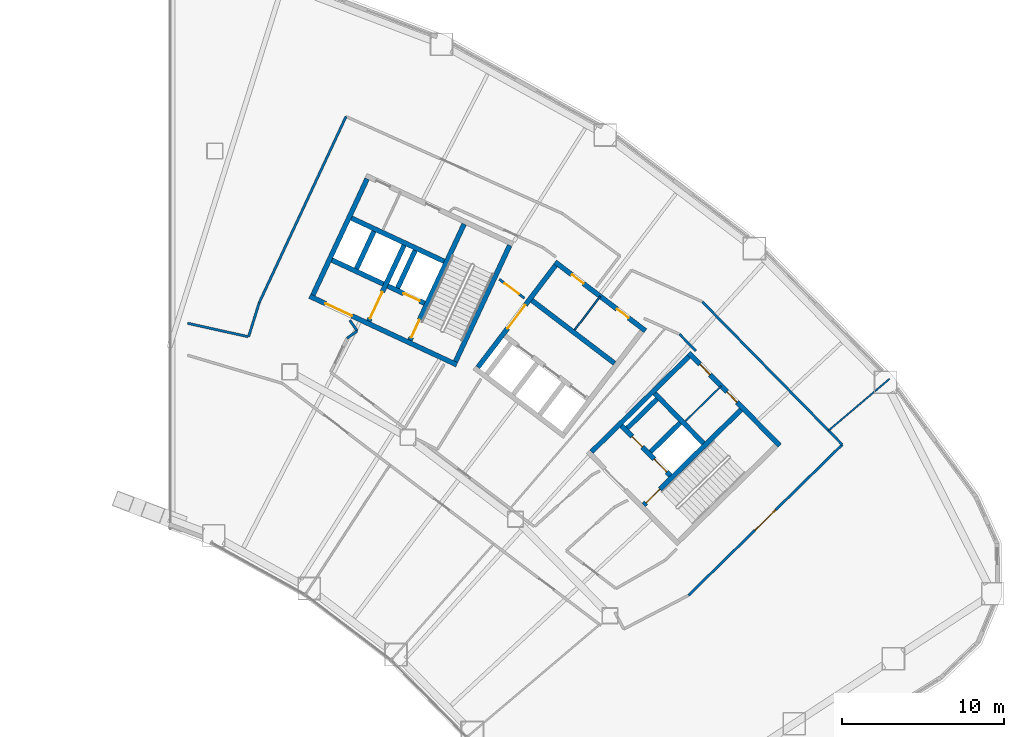
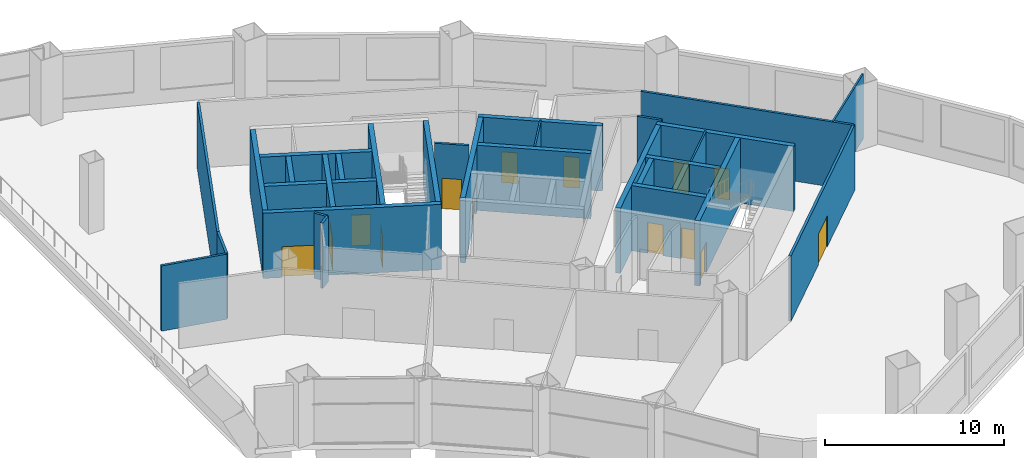
# One storey, part 16 of 20: 32 walls, 14 doors, 14 openings.
"""IFC4 building model written with IfcOpenShell, lengths in metres."""

from ifc_helpers import new_model, si_unit, direction, frame, frame_2d, origin, place, context, subcontext, project, spatial, rectangle, extrude, material, layer, layer_set, type_object, element, fill, save


model = new_model("IFC4")

# Units and contexts
model_context = context("Model", 3, precision=1e-05, world=origin(), true_north=direction((0.0, 1.0)))
body_context = subcontext(model_context, "Body", "Model", "MODEL_VIEW")
ifc_project = project(units=[si_unit("LENGTHUNIT", "METRE"), si_unit("AREAUNIT", "SQUARE_METRE"), si_unit("VOLUMEUNIT", "CUBIC_METRE"), si_unit("PLANEANGLEUNIT", "RADIAN"), si_unit("MASSUNIT", "GRAM", prefix="KILO")], contexts=[model_context])

# Site, building, storey
site_placement = place(None, origin())
site = spatial("IfcSite", under=ifc_project, at=site_placement, CompositionType="ELEMENT")
building_placement = place(site_placement, origin())
building = spatial("IfcBuilding", under=site, at=building_placement, Name="Tuul Gate Civic Tower", CompositionType="ELEMENT")
storey_placement = place(building_placement, frame((0.0, 0.0, 12.300048828125)))
storey = spatial("IfcBuildingStorey", under=building, at=storey_placement, Name="Level 02", CompositionType="ELEMENT", Elevation=12.300048828125)

# Wall, openings, doors
ifc_material_1 = material(Name="Concrete C50/60", Category="concrete")
ifc_layer_1 = layer(ifc_material_1, 0.300048828125)
ifc_layer_set_1 = layer_set([ifc_layer_1], Name="Concrete C50/60")
wall_type_1 = type_object("IfcWallType", Name="Core wall C50/60", PredefinedType="SHEAR", material=ifc_layer_set_1)
wall_1_placement = place(storey_placement, frame((47.701904296875, -14.079833984375, 0.0), z_axis=(0.0, 0.0, 1.0), x_axis=(-0.700002721075, 0.714140175657, 0.0)))
wall_1 = element("IfcWall", 1, at=wall_1_placement, inside=storey, type_object=wall_type_1, Name="Core wall", PredefinedType="SHEAR", context=body_context, shape_type="SweptSolid", body=[
    extrude(rectangle(XDim=4.300048828125, YDim=0.300048828125, at=frame_2d((2.14990234375, 0.0))), origin(), (0.0, 0.0, 1.0), 4.449951171875),
])
opening_1_placement = place(wall_1_placement, frame((0.324951171875, 0.0, 0.0)))
opening_1 = element("IfcOpeningElement", 2, at=opening_1_placement, cuts=wall_1, Name="Opening LD-L4", PredefinedType="OPENING", context=body_context, shape_type="SweptSolid", body=[
    extrude(rectangle(XDim=1.10009765625, YDim=2.10009765625, at=frame_2d((0.550048828125, 1.050048828125))), frame((0.0, 0.16015625, 0.0), z_axis=(0.0, -1.0, 0.0), x_axis=(1.0, 0.0, 0.0)), (0.0, 0.0, 1.0), 0.320068359375),
])
opening_2_placement = place(wall_1_placement, frame((2.47509765625, 0.0, 0.0)))
opening_2 = element("IfcOpeningElement", 3, at=opening_2_placement, cuts=wall_1, Name="Opening FB-E1A2", PredefinedType="OPENING", context=body_context, shape_type="SweptSolid", body=[
    extrude(rectangle(XDim=0.89990234375, YDim=2.10009765625, at=frame_2d((0.449951171875, 1.050048828125))), frame((0.0, 0.16015625, 0.0), z_axis=(0.0, -1.0, 0.0), x_axis=(1.0, 0.0, 0.0)), (0.0, 0.0, 1.0), 0.320068359375),
])
ifc_material_2 = material(Name="Stainless steel", Category="steel")
door_type_1 = type_object("IfcDoorType", Name="Landing door", OperationType="DOUBLE_DOOR_SLIDING", PredefinedType="DOOR", material=ifc_material_2)
door_1_placement = place(opening_1_placement, origin())
door_1 = element("IfcDoor", 4, at=door_1_placement, inside=storey, type_object=door_type_1, Name="Low-rise lift L4 landing door", OperationType="DOUBLE_DOOR_SLIDING", OverallHeight=2.10009765625, OverallWidth=1.10009765625, PredefinedType="DOOR", context=body_context, shape_type="SweptSolid", body=[
    extrude(rectangle(XDim=1.10009765625, YDim=2.10009765625, at=frame_2d((0.550048828125, 1.050048828125))), frame((0.0, 0.02490234375, 0.0), z_axis=(0.0, -1.0, 0.0), x_axis=(1.0, 0.0, 0.0)), (0.0, 0.0, 1.0), 0.050048828125),
])
fill(opening_1, door_1)
ifc_material_3 = material(Name="Steel", Category="steel")
door_type_2 = type_object("IfcDoorType", Name="Store door", OperationType="NOTDEFINED", PredefinedType="DOOR", material=ifc_material_3)
door_2_placement = place(opening_2_placement, frame((0.89990234375, 0.0, 0.0), z_axis=(0.0, 0.0, 1.0), x_axis=(-1.0, 0.0, 0.0)))
door_2 = element("IfcDoor", 5, at=door_2_placement, inside=storey, type_object=door_type_2, Name="Store door E1A2", OperationType="SINGLE_SWING_LEFT", OverallHeight=2.10009765625, OverallWidth=0.89990234375, PredefinedType="DOOR", context=body_context, shape_type="SweptSolid", body=[
    extrude(rectangle(XDim=0.89990234375, YDim=2.10009765625, at=frame_2d((0.449951171875, 1.050048828125))), frame((0.0, 0.02490234375, 0.0), z_axis=(0.0, -1.0, 0.0), x_axis=(1.0, 0.0, 0.0)), (0.0, 0.0, 1.0), 0.050048828125),
])
fill(opening_2, door_2)

# Wall
wall_2_placement = place(storey_placement, frame((49.737060546875, -12.0849609375, 0.0), z_axis=(0.0, 0.0, 1.0), x_axis=(-0.700002721075, 0.714140175657, 0.0)))
element("IfcWall", 6, at=wall_2_placement, inside=storey, type_object=wall_type_1, Name="Core wall", PredefinedType="SHEAR", context=body_context, shape_type="SweptSolid", body=[
    extrude(rectangle(XDim=4.300048828125, YDim=0.300048828125, at=frame_2d((2.14990234375, 0.0))), origin(), (0.0, 0.0, 1.0), 4.449951171875),
])

# Wall, openings, doors
wall_3_placement = place(storey_placement, frame((54.43798828125, -12.23779296875, 0.0), z_axis=(0.0, 0.0, 1.0), x_axis=(-0.700021979774, 0.714121297703, 0.0)))
wall_3 = element("IfcWall", 7, at=wall_3_placement, inside=storey, type_object=wall_type_1, Name="Core wall", PredefinedType="SHEAR", context=body_context, shape_type="SweptSolid", body=[
    extrude(rectangle(XDim=8.0, YDim=0.300048828125, at=frame_2d((4.0, 0.0))), origin(), (0.0, 0.0, 1.0), 4.449951171875),
])
opening_3_placement = place(wall_3_placement, frame((3.75, 0.0, 0.0)))
opening_3 = element("IfcOpeningElement", 8, at=opening_3_placement, cuts=wall_3, Name="Opening QB-D26", PredefinedType="OPENING", context=body_context, shape_type="SweptSolid", body=[
    extrude(rectangle(XDim=0.89990234375, YDim=2.10009765625, at=frame_2d((0.449951171875, 1.050048828125))), frame((0.0, 0.16015625, 0.0), z_axis=(0.0, -1.0, 0.0), x_axis=(1.0, 0.0, 0.0)), (0.0, 0.0, 1.0), 0.320068359375),
])
opening_4_placement = place(wall_3_placement, frame((6.125, 0.0, 0.0)))
opening_4 = element("IfcOpeningElement", 9, at=opening_4_placement, cuts=wall_3, Name="Opening QB-D27", PredefinedType="OPENING", context=body_context, shape_type="SweptSolid", body=[
    extrude(rectangle(XDim=0.89990234375, YDim=2.10009765625, at=frame_2d((0.449951171875, 1.050048828125))), frame((0.0, 0.16015625, 0.0), z_axis=(0.0, -1.0, 0.0), x_axis=(1.0, 0.0, 0.0)), (0.0, 0.0, 1.0), 0.320068359375),
])
ifc_material_4 = material(Name="Timber door leaf", Category="wood")
door_type_3 = type_object("IfcDoorType", Name="Door D09", OperationType="NOTDEFINED", PredefinedType="DOOR", material=ifc_material_4)
door_3_placement = place(opening_3_placement, origin())
door_3 = element("IfcDoor", 10, at=door_3_placement, inside=storey, type_object=door_type_3, Name="Door QB-D26", OperationType="SINGLE_SWING_LEFT", OverallHeight=2.10009765625, OverallWidth=0.89990234375, PredefinedType="DOOR", context=body_context, shape_type="SweptSolid", body=[
    extrude(rectangle(XDim=0.89990234375, YDim=2.10009765625, at=frame_2d((0.449951171875, 1.050048828125))), frame((0.0, 0.02490234375, 0.0), z_axis=(0.0, -1.0, 0.0), x_axis=(1.0, 0.0, 0.0)), (0.0, 0.0, 1.0), 0.050048828125),
])
fill(opening_3, door_3)
door_4_placement = place(opening_4_placement, origin())
door_4 = element("IfcDoor", 11, at=door_4_placement, inside=storey, type_object=door_type_3, Name="Door QB-D27", OperationType="SINGLE_SWING_LEFT", OverallHeight=2.10009765625, OverallWidth=0.89990234375, PredefinedType="DOOR", context=body_context, shape_type="SweptSolid", body=[
    extrude(rectangle(XDim=0.89990234375, YDim=2.10009765625, at=frame_2d((0.449951171875, 1.050048828125))), frame((0.0, 0.02490234375, 0.0), z_axis=(0.0, -1.0, 0.0), x_axis=(1.0, 0.0, 0.0)), (0.0, 0.0, 1.0), 0.050048828125),
])
fill(opening_4, door_4)

# Wall, opening, door
wall_4_placement = place(storey_placement, frame((46.05712890625, -15.902099609375, 0.0), z_axis=(0.0, 0.0, 1.0), x_axis=(0.714134086973, 0.700008932674, 0.0)))
wall_4 = element("IfcWall", 12, at=wall_4_placement, inside=storey, type_object=wall_type_1, Name="Core wall", PredefinedType="SHEAR", context=body_context, shape_type="SweptSolid", body=[
    extrude(rectangle(XDim=8.400146484375, YDim=0.300048828125, at=frame_2d((4.2001953125, 0.0))), origin(), (0.0, 0.0, 1.0), 4.449951171875),
])
opening_5_placement = place(wall_4_placement, frame((0.199951171875, 0.0, 0.0)))
opening_5 = element("IfcOpeningElement", 13, at=opening_5_placement, cuts=wall_4, Name="Opening SD-ST-3", PredefinedType="OPENING", context=body_context, shape_type="SweptSolid", body=[
    extrude(rectangle(XDim=1.199951171875, YDim=2.10009765625, at=frame_2d((0.60009765625, 1.050048828125))), frame((0.0, 0.16015625, 0.0), z_axis=(0.0, -1.0, 0.0), x_axis=(1.0, 0.0, 0.0)), (0.0, 0.0, 1.0), 0.320068359375),
])
ifc_material_5 = material(Name="Steel", Category="steel")
door_type_4 = type_object("IfcDoorType", Name="Stair door", OperationType="NOTDEFINED", PredefinedType="DOOR", material=ifc_material_5)
door_5_placement = place(opening_5_placement, origin())
door_5 = element("IfcDoor", 14, at=door_5_placement, inside=storey, type_object=door_type_4, Name="Stair door ST-3", OperationType="SINGLE_SWING_LEFT", OverallHeight=2.10009765625, OverallWidth=1.199951171875, PredefinedType="DOOR", context=body_context, shape_type="SweptSolid", body=[
    extrude(rectangle(XDim=1.199951171875, YDim=2.10009765625, at=frame_2d((0.60009765625, 1.050048828125))), frame((0.0, 0.02490234375, 0.0), z_axis=(0.0, -1.0, 0.0), x_axis=(1.0, 0.0, 0.0)), (0.0, 0.0, 1.0), 0.050048828125),
])
fill(opening_5, door_5)

# Walls
wall_5_placement = place(storey_placement, frame((46.47900390625, -12.617919921875, 0.0), z_axis=(0.0, 0.0, 1.0), x_axis=(0.71410944159, 0.700034074479, 0.0)))
element("IfcWall", 15, at=wall_5_placement, inside=storey, type_object=wall_type_1, Name="Core wall", PredefinedType="SHEAR", context=body_context, shape_type="SweptSolid", body=[
    extrude(rectangle(XDim=2.5498046875, YDim=0.300048828125, at=frame_2d((1.27490234375, 0.0))), origin(), (0.0, 0.0, 1.0), 4.449951171875),
])
wall_6_placement = place(storey_placement, frame((45.0439453125, -11.154052734375, 0.0), z_axis=(0.0, 0.0, 1.0), x_axis=(0.714108498262, 0.700035036773, 0.0)))
element("IfcWall", 16, at=wall_6_placement, inside=storey, type_object=wall_type_1, Name="Core wall", PredefinedType="SHEAR", context=body_context, shape_type="SweptSolid", body=[
    extrude(rectangle(XDim=2.550048828125, YDim=0.300048828125, at=frame_2d((1.27490234375, 0.0))), origin(), (0.0, 0.0, 1.0), 4.449951171875),
])
wall_7_placement = place(storey_placement, frame((42.837158203125, -12.616943359375, 0.0), z_axis=(0.0, 0.0, 1.0), x_axis=(0.714119844755, 0.700023461983, 0.0)))
element("IfcWall", 17, at=wall_7_placement, inside=storey, type_object=wall_type_1, Name="Core wall", PredefinedType="SHEAR", context=body_context, shape_type="SweptSolid", body=[
    extrude(rectangle(XDim=8.39990234375, YDim=0.300048828125, at=frame_2d((4.199951171875, 0.0))), origin(), (0.0, 0.0, 1.0), 4.449951171875),
])

# Wall, opening, door
wall_8_placement = place(storey_placement, frame((34.5283203125, -7.25, 0.0), z_axis=(0.0, 0.0, 1.0), x_axis=(-0.906310338845, 0.422612789327, 0.0)))
wall_8 = element("IfcWall", 18, at=wall_8_placement, inside=storey, type_object=wall_type_1, Name="Core wall", PredefinedType="SHEAR", context=body_context, shape_type="SweptSolid", body=[
    extrude(rectangle(XDim=9.999755859375, YDim=0.300048828125, at=frame_2d((5.0, 0.0))), origin(), (0.0, 0.0, 1.0), 4.449951171875),
])
opening_6_placement = place(wall_8_placement, frame((7.125, 0.0, 0.0)))
opening_6 = element("IfcOpeningElement", 19, at=opening_6_placement, cuts=wall_8, Name="Opening LB-E3-LOBBY-1", PredefinedType="OPENING", context=body_context, shape_type="SweptSolid", body=[
    extrude(rectangle(XDim=1.800048828125, YDim=2.10009765625, at=frame_2d((0.89990234375, 1.050048828125))), frame((0.0, 0.16015625, 0.0), z_axis=(0.0, -1.0, 0.0), x_axis=(1.0, 0.0, 0.0)), (0.0, 0.0, 1.0), 0.320068359375),
])
ifc_material_6 = material(Name="Steel", Category="steel")
door_type_5 = type_object("IfcDoorType", Name="Lobby door", OperationType="DOUBLE_DOOR_SINGLE_SWING", PredefinedType="DOOR", material=ifc_material_6)
door_6_placement = place(opening_6_placement, frame((1.800048828125, 0.0, 0.0), z_axis=(0.0, 0.0, 1.0), x_axis=(-1.0, 0.0, 0.0)))
door_6 = element("IfcDoor", 20, at=door_6_placement, inside=storey, type_object=door_type_5, Name="Lobby door E3-LOBBY", OperationType="DOUBLE_DOOR_SINGLE_SWING", OverallHeight=2.10009765625, OverallWidth=1.800048828125, PredefinedType="DOOR", context=body_context, shape_type="SweptSolid", body=[
    extrude(rectangle(XDim=1.800048828125, YDim=2.10009765625, at=frame_2d((0.900146484375, 1.050048828125))), frame((0.0, 0.02490234375, 0.0), z_axis=(0.0, -1.0, 0.0), x_axis=(1.0, 0.0, 0.0)), (0.0, 0.0, 1.0), 0.050048828125),
])
fill(opening_6, door_6)

wall_9_placement = place(storey_placement, frame((32.545654296875, -3.456787109375, 0.0), z_axis=(0.0, 0.0, 1.0), x_axis=(-0.906300357825, 0.42263419337, 0.0)))
wall_9 = element("IfcWall", 21, at=wall_9_placement, inside=storey, type_object=wall_type_1, Name="Core wall", PredefinedType="SHEAR", context=body_context, shape_type="SweptSolid", body=[
    extrude(rectangle(XDim=2.500244140625, YDim=0.300048828125, at=frame_2d((1.25, 0.0))), origin(), (0.0, 0.0, 1.0), 4.449951171875),
])
opening_7_placement = place(wall_9_placement, frame((0.324951171875, 0.0, 0.0)))
opening_7 = element("IfcOpeningElement", 22, at=opening_7_placement, cuts=wall_9, Name="Opening LD-FF-2", PredefinedType="OPENING", context=body_context, shape_type="SweptSolid", body=[
    extrude(rectangle(XDim=1.10009765625, YDim=2.10009765625, at=frame_2d((0.550048828125, 1.050048828125))), frame((0.0, 0.16015625, 0.0), z_axis=(0.0, -1.0, 0.0), x_axis=(1.0, 0.0, 0.0)), (0.0, 0.0, 1.0), 0.320068359375),
])
door_7_placement = place(opening_7_placement, origin())
door_7 = element("IfcDoor", 23, at=door_7_placement, inside=storey, type_object=door_type_1, Name="Fire-fighting lift FF-2 landing door", OperationType="DOUBLE_DOOR_SLIDING", OverallHeight=2.10009765625, OverallWidth=1.10009765625, PredefinedType="DOOR", context=body_context, shape_type="SweptSolid", body=[
    extrude(rectangle(XDim=1.10009765625, YDim=2.10009765625, at=frame_2d((0.550048828125, 1.050048828125))), frame((0.0, 0.02490234375, 0.0), z_axis=(0.0, -1.0, 0.0), x_axis=(1.0, 0.0, 0.0)), (0.0, 0.0, 1.0), 0.050048828125),
])
fill(opening_7, door_7)

# Walls
wall_10_placement = place(storey_placement, frame((30.0078125, -2.2734375, 0.0), z_axis=(0.0, 0.0, 1.0), x_axis=(-0.90630071767, 0.422633421716, 0.0)))
element("IfcWall", 24, at=wall_10_placement, inside=storey, type_object=wall_type_1, Name="Core wall", PredefinedType="SHEAR", context=body_context, shape_type="SweptSolid", body=[
    extrude(rectangle(XDim=3.5, YDim=0.300048828125, at=frame_2d((1.75, 0.0))), origin(), (0.0, 0.0, 1.0), 4.449951171875),
])
wall_11_placement = place(storey_placement, frame((33.75, -0.873779296875, 0.0), z_axis=(0.0, 0.0, 1.0), x_axis=(-0.906300917592, 0.422632992999, 0.0)))
element("IfcWall", 25, at=wall_11_placement, inside=storey, type_object=wall_type_1, Name="Core wall", PredefinedType="SHEAR", context=body_context, shape_type="SweptSolid", body=[
    extrude(rectangle(XDim=6.300048828125, YDim=0.300048828125, at=frame_2d((3.14990234375, 0.0))), origin(), (0.0, 0.0, 1.0), 4.449951171875),
])
wall_12_placement = place(storey_placement, frame((34.455810546875, -7.05078125, 0.0), z_axis=(0.0, 0.0, 1.0), x_axis=(0.422570768258, 0.906329932096, 0.0)))
element("IfcWall", 26, at=wall_12_placement, inside=storey, type_object=wall_type_1, Name="Core wall", PredefinedType="SHEAR", context=body_context, shape_type="SweptSolid", body=[
    extrude(rectangle(XDim=7.900146484375, YDim=0.300048828125, at=frame_2d((3.9501953125, 0.0))), origin(), (0.0, 0.0, 1.0), 4.449951171875),
])

# Wall, opening, door
wall_13_placement = place(storey_placement, frame((31.646240234375, -5.740478515625, 0.0), z_axis=(0.0, 0.0, 1.0), x_axis=(0.422582604137, 0.906324413596, 0.0)))
wall_13 = element("IfcWall", 27, at=wall_13_placement, inside=storey, type_object=wall_type_1, Name="Core wall", PredefinedType="SHEAR", context=body_context, shape_type="SweptSolid", body=[
    extrude(rectangle(XDim=7.89990234375, YDim=0.300048828125, at=frame_2d((3.949951171875, 0.0))), origin(), (0.0, 0.0, 1.0), 4.449951171875),
])
opening_8_placement = place(wall_13_placement, frame((0.199951171875, 0.0, 0.0)))
opening_8 = element("IfcOpeningElement", 28, at=opening_8_placement, cuts=wall_13, Name="Opening SD-ST-4", PredefinedType="OPENING", context=body_context, shape_type="SweptSolid", body=[
    extrude(rectangle(XDim=1.199951171875, YDim=2.10009765625, at=frame_2d((0.60009765625, 1.050048828125))), frame((0.0, 0.16015625, 0.0), z_axis=(0.0, -1.0, 0.0), x_axis=(1.0, 0.0, 0.0)), (0.0, 0.0, 1.0), 0.320068359375),
])
door_8_placement = place(opening_8_placement, origin())
door_8 = element("IfcDoor", 29, at=door_8_placement, inside=storey, type_object=door_type_4, Name="Stair door ST-4", OperationType="SINGLE_SWING_LEFT", OverallHeight=2.10009765625, OverallWidth=1.199951171875, PredefinedType="DOOR", context=body_context, shape_type="SweptSolid", body=[
    extrude(rectangle(XDim=1.199951171875, YDim=2.10009765625, at=frame_2d((0.60009765625, 1.050048828125))), frame((0.0, 0.02490234375, 0.0), z_axis=(0.0, -1.0, 0.0), x_axis=(1.0, 0.0, 0.0)), (0.0, 0.0, 1.0), 0.050048828125),
])
fill(opening_8, door_8)

# Wall
wall_14_placement = place(storey_placement, frame((30.886962890625, -2.517822265625, 0.0), z_axis=(0.0, 0.0, 1.0), x_axis=(0.422612891016, 0.906310291427, 0.0)))
element("IfcWall", 30, at=wall_14_placement, inside=storey, type_object=wall_type_1, Name="Core wall", PredefinedType="SHEAR", context=body_context, shape_type="SweptSolid", body=[
    extrude(rectangle(XDim=2.550048828125, YDim=0.300048828125, at=frame_2d((1.27490234375, 0.0))), origin(), (0.0, 0.0, 1.0), 4.449951171875),
])

# Wall, opening, door
wall_15_placement = place(storey_placement, frame((29.108642578125, -4.557373046875, 0.0), z_axis=(0.0, 0.0, 1.0), x_axis=(0.422566235356, 0.90633204552, 0.0)))
wall_15 = element("IfcWall", 31, at=wall_15_placement, inside=storey, type_object=wall_type_1, Name="Core wall", PredefinedType="SHEAR", context=body_context, shape_type="SweptSolid", body=[
    extrude(rectangle(XDim=5.150146484375, YDim=0.300048828125, at=frame_2d((2.5751953125, 0.0))), origin(), (0.0, 0.0, 1.0), 4.449951171875),
])
opening_9_placement = place(wall_15_placement, frame((0.175048828125, 0.0, 0.0)))
opening_9 = element("IfcOpeningElement", 32, at=opening_9_placement, cuts=wall_15, Name="Opening LB-E3-FLOBBY-1", PredefinedType="OPENING", context=body_context, shape_type="SweptSolid", body=[
    extrude(rectangle(XDim=1.800048828125, YDim=2.10009765625, at=frame_2d((0.89990234375, 1.050048828125))), frame((0.0, 0.16015625, 0.0), z_axis=(0.0, -1.0, 0.0), x_axis=(1.0, 0.0, 0.0)), (0.0, 0.0, 1.0), 0.320068359375),
])
door_9_placement = place(opening_9_placement, frame((1.800048828125, 0.0, 0.0), z_axis=(0.0, 0.0, 1.0), x_axis=(-1.0, 0.0, 0.0)))
door_9 = element("IfcDoor", 33, at=door_9_placement, inside=storey, type_object=door_type_5, Name="Lobby door E3-FLOBBY", OperationType="DOUBLE_DOOR_SINGLE_SWING", OverallHeight=2.10009765625, OverallWidth=1.800048828125, PredefinedType="DOOR", context=body_context, shape_type="SweptSolid", body=[
    extrude(rectangle(XDim=1.800048828125, YDim=2.10009765625, at=frame_2d((0.900146484375, 1.050048828125))), frame((0.0, 0.02490234375, 0.0), z_axis=(0.0, -1.0, 0.0), x_axis=(1.0, 0.0, 0.0)), (0.0, 0.0, 1.0), 0.050048828125),
])
fill(opening_9, door_9)

# Walls
wall_16_placement = place(storey_placement, frame((28.349365234375, -1.33447265625, 0.0), z_axis=(0.0, 0.0, 1.0), x_axis=(0.422612891016, 0.906310291427, 0.0)))
element("IfcWall", 34, at=wall_16_placement, inside=storey, type_object=wall_type_1, Name="Core wall", PredefinedType="SHEAR", context=body_context, shape_type="SweptSolid", body=[
    extrude(rectangle(XDim=2.550048828125, YDim=0.300048828125, at=frame_2d((1.27490234375, 0.0))), origin(), (0.0, 0.0, 1.0), 4.449951171875),
])
wall_17_placement = place(storey_placement, frame((25.66455078125, -2.951416015625, 0.0), z_axis=(0.0, 0.0, 1.0), x_axis=(0.422582604137, 0.906324413596, 0.0)))
element("IfcWall", 35, at=wall_17_placement, inside=storey, type_object=wall_type_1, Name="Core wall", PredefinedType="SHEAR", context=body_context, shape_type="SweptSolid", body=[
    extrude(rectangle(XDim=7.89990234375, YDim=0.300048828125, at=frame_2d((3.949951171875, 0.0))), origin(), (0.0, 0.0, 1.0), 4.449951171875),
])
ifc_material_7 = material(Name="Gypsum board partition")
ifc_layer_2 = layer(ifc_material_7, 0.14990234375)
ifc_layer_set_2 = layer_set([ifc_layer_2], Name="Gypsum board partition")
wall_type_2 = type_object("IfcWallType", Name="Corridor wall P150", PredefinedType="PARTITIONING", material=ifc_layer_set_2)
wall_18_placement = place(storey_placement, frame((49.66357421875, -3.3671875, 0.0), z_axis=(0.0, 0.0, 1.0), x_axis=(0.700000914228, -0.71414194673, 0.0)))
element("IfcWall", 36, at=wall_18_placement, inside=storey, type_object=wall_type_2, Name="p003", PredefinedType="PARTITIONING", context=body_context, shape_type="SweptSolid", body=[
    extrude(rectangle(XDim=12.326904296875, YDim=0.14990234375, at=frame_2d((6.16357421875, 0.0))), origin(), (0.0, 0.0, 1.0), 4.449951171875),
])
wall_19_placement = place(storey_placement, frame((22.35400390625, -3.426025390625, 0.0), z_axis=(0.0, 0.0, 1.0), x_axis=(0.422587751835, 0.906322013414, 0.0)))
element("IfcWall", 37, at=wall_19_placement, inside=storey, type_object=wall_type_2, Name="p009", PredefinedType="PARTITIONING", context=body_context, shape_type="SweptSolid", body=[
    extrude(rectangle(XDim=12.660888671875, YDim=0.14990234375, at=frame_2d((6.33056640625, 0.0))), origin(), (0.0, 0.0, 1.0), 4.449951171875),
])
wall_20_placement = place(storey_placement, frame((21.703857421875, -5.5068359375, 0.0), z_axis=(0.0, 0.0, 1.0), x_axis=(0.29817925003, 0.954509892485, 0.0)))
element("IfcWall", 38, at=wall_20_placement, inside=storey, type_object=wall_type_2, Name="p010", PredefinedType="PARTITIONING", context=body_context, shape_type="SweptSolid", body=[
    extrude(rectangle(XDim=2.177978515625, YDim=0.14990234375, at=frame_2d((1.0888671875, 0.0))), origin(), (0.0, 0.0, 1.0), 4.449951171875),
])
wall_21_placement = place(storey_placement, frame((17.9384765625, -4.693603515625, 0.0), z_axis=(0.0, 0.0, 1.0), x_axis=(0.976420376736, -0.21587785411, 0.0)))
element("IfcWall", 39, at=wall_21_placement, inside=storey, type_object=wall_type_2, Name="p011", PredefinedType="PARTITIONING", context=body_context, shape_type="SweptSolid", body=[
    extrude(rectangle(XDim=3.83154296875, YDim=0.14990234375, at=frame_2d((1.915771484375, 0.0))), origin(), (0.0, 0.0, 1.0), 4.449951171875),
])

# Wall, opening, door
wall_22_placement = place(storey_placement, frame((48.81005859375, -21.465576171875, 0.0), z_axis=(0.0, 0.0, 1.0), x_axis=(0.714122758884, 0.70002048916, 0.0)))
wall_22 = element("IfcWall", 40, at=wall_22_placement, inside=storey, type_object=wall_type_2, Name="p019", PredefinedType="PARTITIONING", context=body_context, shape_type="SweptSolid", body=[
    extrude(rectangle(XDim=13.2783203125, YDim=0.14990234375, at=frame_2d((6.63916015625, 0.0))), origin(), (0.0, 0.0, 1.0), 4.449951171875),
])
opening_10_placement = place(wall_22_placement, frame((5.7392578125, 0.0, 0.0)))
opening_10 = element("IfcOpeningElement", 41, at=opening_10_placement, cuts=wall_22, Name="Opening QB-D05", PredefinedType="OPENING", context=body_context, shape_type="SweptSolid", body=[
    extrude(rectangle(XDim=1.800048828125, YDim=2.10009765625, at=frame_2d((0.89990234375, 1.050048828125))), frame((0.0, 0.0849609375, 0.0), z_axis=(0.0, -1.0, 0.0), x_axis=(1.0, 0.0, 0.0)), (0.0, 0.0, 1.0), 0.169921875),
])
ifc_material_8 = material(Name="Timber door leaf, double", Category="wood")
door_type_6 = type_object("IfcDoorType", Name="Door D18", OperationType="DOUBLE_DOOR_SINGLE_SWING", PredefinedType="DOOR", material=ifc_material_8)
door_10_placement = place(opening_10_placement, frame((1.800048828125, 0.0, 0.0), z_axis=(0.0, 0.0, 1.0), x_axis=(-1.0, 0.0, 0.0)))
door_10 = element("IfcDoor", 42, at=door_10_placement, inside=storey, type_object=door_type_6, Name="Door QB-D05", OperationType="DOUBLE_DOOR_SINGLE_SWING", OverallHeight=2.10009765625, OverallWidth=1.800048828125, PredefinedType="DOOR", context=body_context, shape_type="SweptSolid", body=[
    extrude(rectangle(XDim=1.800048828125, YDim=2.10009765625, at=frame_2d((0.900146484375, 1.050048828125))), frame((0.0, 0.02490234375, 0.0), z_axis=(0.0, -1.0, 0.0), x_axis=(1.0, 0.0, 0.0)), (0.0, 0.0, 1.0), 0.050048828125),
])
fill(opening_10, door_10)

wall_23_placement = place(storey_placement, frame((37.152099609375, -1.9794921875, 0.0), z_axis=(0.0, 0.0, 1.0), x_axis=(0.799031658481, -0.601288956114, 0.0)))
wall_23 = element("IfcWall", 43, at=wall_23_placement, inside=storey, type_object=wall_type_2, Name="p050", PredefinedType="PARTITIONING", context=body_context, shape_type="SweptSolid", body=[
    extrude(rectangle(XDim=1.9384765625, YDim=0.14990234375, at=frame_2d((0.96923828125, 0.0))), origin(), (0.0, 0.0, 1.0), 4.449951171875),
])
opening_11_placement = place(wall_23_placement, frame((0.419189453125, 0.0, 0.0)))
opening_11 = element("IfcOpeningElement", 44, at=opening_11_placement, cuts=wall_23, Name="Opening QB-D20", PredefinedType="OPENING", context=body_context, shape_type="SweptSolid", body=[
    extrude(rectangle(XDim=1.10009765625, YDim=2.10009765625, at=frame_2d((0.550048828125, 1.050048828125))), frame((0.0, 0.0849609375, 0.0), z_axis=(0.0, -1.0, 0.0), x_axis=(1.0, 0.0, 0.0)), (0.0, 0.0, 1.0), 0.169921875),
])
ifc_material_9 = material(Name="Timber door leaf", Category="wood")
door_type_7 = type_object("IfcDoorType", Name="Door D11", OperationType="NOTDEFINED", PredefinedType="DOOR", material=ifc_material_9)
door_11_placement = place(opening_11_placement, origin())
door_11 = element("IfcDoor", 45, at=door_11_placement, inside=storey, type_object=door_type_7, Name="Door QB-D20", OperationType="SINGLE_SWING_RIGHT", OverallHeight=2.10009765625, OverallWidth=1.10009765625, PredefinedType="DOOR", context=body_context, shape_type="SweptSolid", body=[
    extrude(rectangle(XDim=1.10009765625, YDim=2.10009765625, at=frame_2d((0.550048828125, 1.050048828125))), frame((0.0, 0.02490234375, 0.0), z_axis=(0.0, -1.0, 0.0), x_axis=(1.0, 0.0, 0.0)), (0.0, 0.0, 1.0), 0.050048828125),
])
fill(opening_11, door_11)

# Walls
wall_24_placement = place(storey_placement, frame((48.26708984375, -5.3720703125, 0.0), z_axis=(0.0, 0.0, 1.0), x_axis=(0.700232137979, -0.71391522812, 0.0)))
element("IfcWall", 46, at=wall_24_placement, inside=storey, type_object=wall_type_2, Name="p061", PredefinedType="PARTITIONING", context=body_context, shape_type="SweptSolid", body=[
    extrude(rectangle(XDim=1.427490234375, YDim=0.14990234375, at=frame_2d((0.7138671875, 0.0))), origin(), (0.0, 0.0, 1.0), 4.449951171875),
])
wall_25_placement = place(storey_placement, frame((27.76025390625, -5.61328125, 0.0), z_axis=(0.0, 0.0, 1.0), x_axis=(0.823406015919, 0.567452670227, 0.0)))
element("IfcWall", 47, at=wall_25_placement, inside=storey, type_object=wall_type_2, Name="p067", PredefinedType="PARTITIONING", context=body_context, shape_type="SweptSolid", body=[
    extrude(rectangle(XDim=0.773681640625, YDim=0.14990234375, at=frame_2d((0.38671875, 0.0))), origin(), (0.0, 0.0, 1.0), 4.449951171875),
])
wall_26_placement = place(storey_placement, frame((27.939697265625, -4.50927734375, 0.0), z_axis=(0.0, 0.0, 1.0), x_axis=(0.567350860587, -0.823476169049, 0.0)))
element("IfcWall", 48, at=wall_26_placement, inside=storey, type_object=wall_type_2, Name="p068", PredefinedType="PARTITIONING", context=body_context, shape_type="SweptSolid", body=[
    extrude(rectangle(XDim=0.806396484375, YDim=0.14990234375, at=frame_2d((0.4033203125, 0.0))), origin(), (0.0, 0.0, 1.0), 4.449951171875),
])
ifc_material_10 = material(Name="Concrete C40/50", Category="concrete")
ifc_layer_3 = layer(ifc_material_10, 0.300048828125)
ifc_layer_set_3 = layer_set([ifc_layer_3], Name="Concrete C40/50")
wall_type_3 = type_object("IfcWallType", Name="Lift shaft wall C40/50", PredefinedType="STANDARD", material=ifc_layer_set_3)
wall_27_placement = place(storey_placement, frame((44.254638671875, -7.15966796875, 0.0), z_axis=(0.0, 0.0, 1.0), x_axis=(-0.795565675562, 0.605867358312, 0.0)))
element("IfcWall", 49, at=wall_27_placement, inside=storey, type_object=wall_type_3, Name="Shaft wall", PredefinedType="STANDARD", context=body_context, shape_type="SweptSolid", body=[
    extrude(rectangle(XDim=6.400146484375, YDim=0.300048828125, at=frame_2d((3.2001953125, 0.0))), origin(), (0.0, 0.0, 1.0), 4.449951171875),
])

# Wall, openings, doors
wall_28_placement = place(storey_placement, frame((46.1591796875, -5.1533203125, 0.0), z_axis=(0.0, 0.0, 1.0), x_axis=(-0.795579811045, 0.605848796531, 0.0)))
wall_28 = element("IfcWall", 50, at=wall_28_placement, inside=storey, type_object=wall_type_3, Name="Shaft wall", PredefinedType="STANDARD", context=body_context, shape_type="SweptSolid", body=[
    extrude(rectangle(XDim=7.0, YDim=0.300048828125, at=frame_2d((3.5, 0.0))), origin(), (0.0, 0.0, 1.0), 4.449951171875),
])
opening_12_placement = place(wall_28_placement, frame((1.300048828125, 0.0, 0.0)))
opening_12 = element("IfcOpeningElement", 51, at=opening_12_placement, cuts=wall_28, Name="Opening QB-D24", PredefinedType="OPENING", context=body_context, shape_type="SweptSolid", body=[
    extrude(rectangle(XDim=0.89990234375, YDim=2.10009765625, at=frame_2d((0.449951171875, 1.050048828125))), frame((0.0, 0.16015625, 0.0), z_axis=(0.0, -1.0, 0.0), x_axis=(1.0, 0.0, 0.0)), (0.0, 0.0, 1.0), 0.320068359375),
])
opening_13_placement = place(wall_28_placement, frame((4.800048828125, 0.0, 0.0)))
opening_13 = element("IfcOpeningElement", 52, at=opening_13_placement, cuts=wall_28, Name="Opening QB-D25", PredefinedType="OPENING", context=body_context, shape_type="SweptSolid", body=[
    extrude(rectangle(XDim=0.89990234375, YDim=2.10009765625, at=frame_2d((0.449951171875, 1.050048828125))), frame((0.0, 0.16015625, 0.0), z_axis=(0.0, -1.0, 0.0), x_axis=(1.0, 0.0, 0.0)), (0.0, 0.0, 1.0), 0.320068359375),
])
door_12_placement = place(opening_12_placement, origin())
door_12 = element("IfcDoor", 53, at=door_12_placement, inside=storey, type_object=door_type_3, Name="Door QB-D24", OperationType="SINGLE_SWING_LEFT", OverallHeight=2.10009765625, OverallWidth=0.89990234375, PredefinedType="DOOR", context=body_context, shape_type="SweptSolid", body=[
    extrude(rectangle(XDim=0.89990234375, YDim=2.10009765625, at=frame_2d((0.449951171875, 1.050048828125))), frame((0.0, 0.02490234375, 0.0), z_axis=(0.0, -1.0, 0.0), x_axis=(1.0, 0.0, 0.0)), (0.0, 0.0, 1.0), 0.050048828125),
])
fill(opening_12, door_12)
door_13_placement = place(opening_13_placement, origin())
door_13 = element("IfcDoor", 54, at=door_13_placement, inside=storey, type_object=door_type_3, Name="Door QB-D25", OperationType="SINGLE_SWING_RIGHT", OverallHeight=2.10009765625, OverallWidth=0.89990234375, PredefinedType="DOOR", context=body_context, shape_type="SweptSolid", body=[
    extrude(rectangle(XDim=0.89990234375, YDim=2.10009765625, at=frame_2d((0.449951171875, 1.050048828125))), frame((0.0, 0.02490234375, 0.0), z_axis=(0.0, -1.0, 0.0), x_axis=(1.0, 0.0, 0.0)), (0.0, 0.0, 1.0), 0.050048828125),
])
fill(opening_13, door_13)

# Wall, opening, door
wall_29_placement = place(storey_placement, frame((35.8330078125, -7.408203125, 0.0), z_axis=(0.0, 0.0, 1.0), x_axis=(0.605769437763, 0.795640237967, 0.0)))
wall_29 = element("IfcWall", 55, at=wall_29_placement, inside=storey, type_object=wall_type_3, Name="Shaft wall", PredefinedType="STANDARD", context=body_context, shape_type="SweptSolid", body=[
    extrude(rectangle(XDim=7.900146484375, YDim=0.300048828125, at=frame_2d((3.9501953125, 0.0))), origin(), (0.0, 0.0, 1.0), 4.449951171875),
])
opening_14_placement = place(wall_29_placement, frame((3.02490234375, 0.0, 0.0)))
opening_14 = element("IfcOpeningElement", 56, at=opening_14_placement, cuts=wall_29, Name="Opening LB-E2-LOBBY-1", PredefinedType="OPENING", context=body_context, shape_type="SweptSolid", body=[
    extrude(rectangle(XDim=1.800048828125, YDim=2.10009765625, at=frame_2d((0.89990234375, 1.050048828125))), frame((0.0, 0.16015625, 0.0), z_axis=(0.0, -1.0, 0.0), x_axis=(1.0, 0.0, 0.0)), (0.0, 0.0, 1.0), 0.320068359375),
])
door_14_placement = place(opening_14_placement, frame((1.800048828125, 0.0, 0.0), z_axis=(0.0, 0.0, 1.0), x_axis=(-1.0, 0.0, 0.0)))
door_14 = element("IfcDoor", 57, at=door_14_placement, inside=storey, type_object=door_type_5, Name="Lobby door E2-LOBBY", OperationType="DOUBLE_DOOR_SINGLE_SWING", OverallHeight=2.10009765625, OverallWidth=1.800048828125, PredefinedType="DOOR", context=body_context, shape_type="SweptSolid", body=[
    extrude(rectangle(XDim=1.800048828125, YDim=2.10009765625, at=frame_2d((0.900146484375, 1.050048828125))), frame((0.0, 0.02490234375, 0.0), z_axis=(0.0, -1.0, 0.0), x_axis=(1.0, 0.0, 0.0)), (0.0, 0.0, 1.0), 0.050048828125),
])
fill(opening_14, door_14)

# Walls
ifc_material_11 = material(Name="Gypsum board partition")
ifc_layer_4 = layer(ifc_material_11, 0.10009765625)
ifc_layer_set_4 = layer_set([ifc_layer_4], Name="Gypsum board partition")
wall_type_4 = type_object("IfcWallType", Name="Partition P100", PredefinedType="PARTITIONING", material=ifc_layer_set_4)
wall_30_placement = place(storey_placement, frame((57.446044921875, -11.306884765625, 0.0), z_axis=(0.0, 0.0, 1.0), x_axis=(0.762829056444, 0.646600209283, 0.0)))
element("IfcWall", 58, at=wall_30_placement, inside=storey, type_object=wall_type_4, Name="p002", PredefinedType="PARTITIONING", context=body_context, shape_type="SweptSolid", body=[
    extrude(rectangle(XDim=4.938232421875, YDim=0.10009765625, at=frame_2d((2.46923828125, 0.0))), origin(), (0.0, 0.0, 1.0), 4.449951171875),
])
wall_31_placement = place(storey_placement, frame((41.799560546875, -5.1015625, 0.0), z_axis=(0.0, 0.0, 1.0), x_axis=(0.605768745095, 0.795640765337, 0.0)))
element("IfcWall", 59, at=wall_31_placement, inside=storey, type_object=wall_type_4, Name="bE2-BAND-0", PredefinedType="PARTITIONING", context=body_context, shape_type="SweptSolid", body=[
    extrude(rectangle(XDim=2.599853515625, YDim=0.10009765625, at=frame_2d((1.2998046875, 0.0))), origin(), (0.0, 0.0, 1.0), 4.449951171875),
])
wall_32_placement = place(storey_placement, frame((48.619140625, -10.72998046875, 0.0), z_axis=(0.0, 0.0, 1.0), x_axis=(0.714159293908, 0.699983216173, 0.0)))
element("IfcWall", 60, at=wall_32_placement, inside=storey, type_object=wall_type_4, Name="bE1-BAND-0", PredefinedType="PARTITIONING", context=body_context, shape_type="SweptSolid", body=[
    extrude(rectangle(XDim=3.099853515625, YDim=0.10009765625, at=frame_2d((1.5498046875, 0.0))), origin(), (0.0, 0.0, 1.0), 4.449951171875),
])

save(model, "model.ifc")
